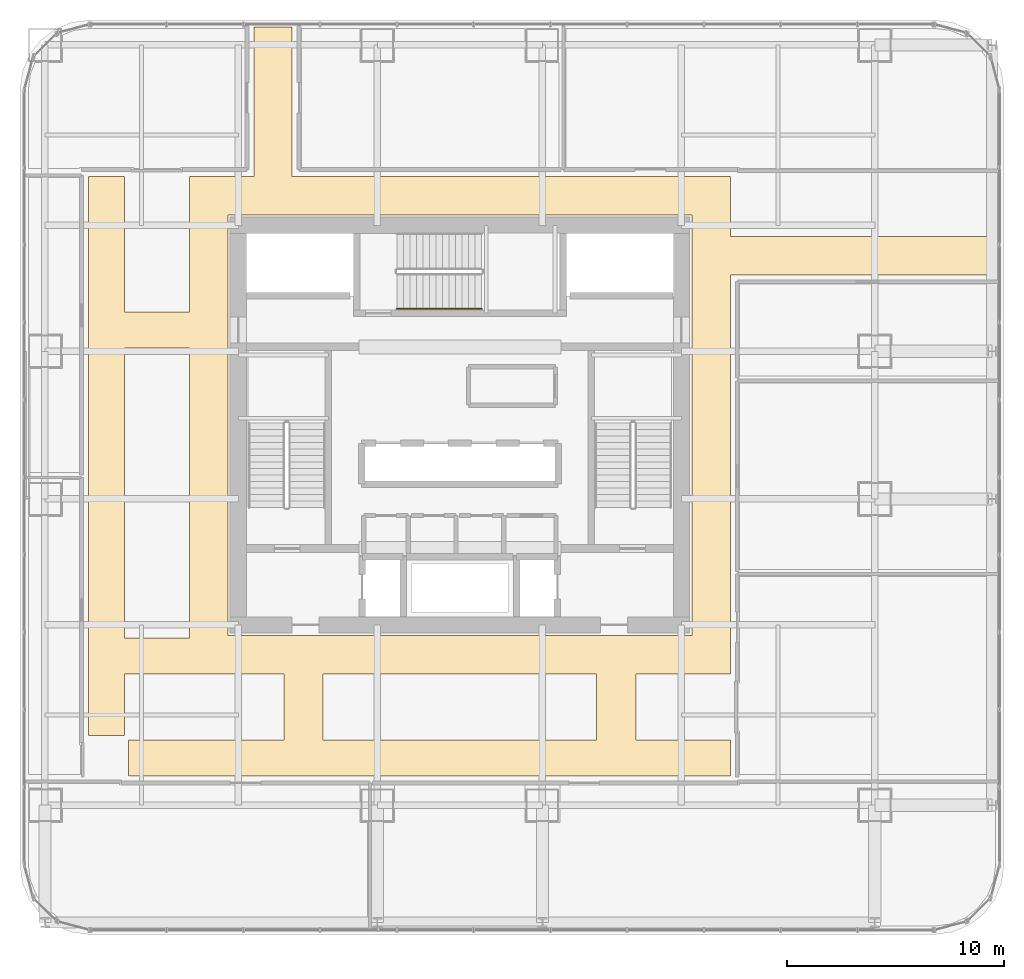
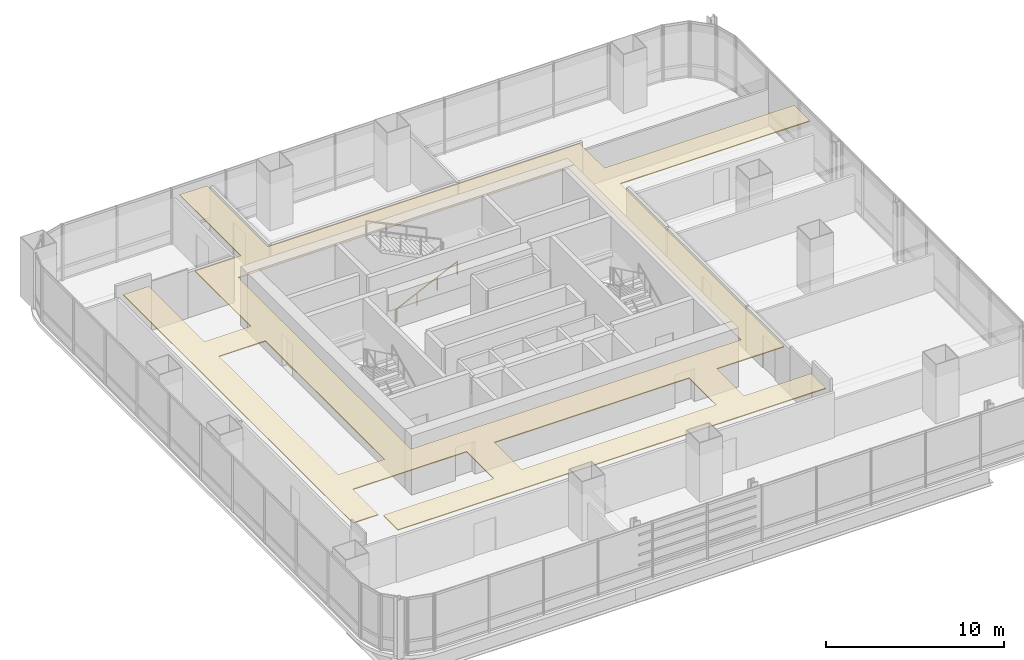
# One storey, part 33 of 35: 1 covering, 1 railing.
"""IFC4 building model written with IfcOpenShell, lengths in metres."""

from ifc_helpers import new_model, si_unit, direction, frame, origin, origin_2d, place, context, subcontext, project, spatial, polyline, circle, outline, extrude, material, layer, layer_set, type_object, element, save


model = new_model("IFC4")

# Units and contexts
model_context = context("Model", 3, precision=1e-05, world=origin(), true_north=direction((0.0, 1.0)))
body_context = subcontext(model_context, "Body", "Model", "MODEL_VIEW")
ifc_project = project(units=[si_unit("LENGTHUNIT", "METRE"), si_unit("AREAUNIT", "SQUARE_METRE"), si_unit("VOLUMEUNIT", "CUBIC_METRE"), si_unit("PLANEANGLEUNIT", "RADIAN"), si_unit("MASSUNIT", "GRAM", prefix="KILO")], contexts=[model_context])

# Site, building, storey
site_placement = place(None, origin())
site = spatial("IfcSite", under=ifc_project, at=site_placement, CompositionType="ELEMENT")
building_placement = place(site_placement, origin())
building = spatial("IfcBuilding", under=site, at=building_placement, Name="Punatoya Terracotta Tower", CompositionType="ELEMENT")
storey_placement = place(building_placement, frame((0.0, 0.0, 64.64990234375)))
storey = spatial("IfcBuildingStorey", under=building, at=storey_placement, Name="L14", CompositionType="ELEMENT", Elevation=64.64990234375)

# Covering
ifc_material_1 = material(Name="Acoustic Mineral Fibre Ceiling")
ifc_layer = layer(ifc_material_1, 0.06005859375)
ifc_layer_set = layer_set([ifc_layer], Name="Acoustic Mineral Fibre Ceiling")
covering_type = type_object("IfcCoveringType", Name="COV-CEIL-60", PredefinedType="CEILING", material=ifc_layer_set)
covering_placement = place(storey_placement, frame((0.0, 0.0, 3.2001953125)))
element("IfcCovering", 1, at=covering_placement, inside=storey, type_object=covering_type, Name="L14 Ring Circulation Corridor Acoustic Ceiling", PredefinedType="CEILING", context=body_context, shape_type="SweptSolid", body=[
    extrude(outline(polyline([(12.449951171875, -16.14990234375), (12.449951171875, -14.5), (8.10009765625, -14.5), (8.10009765625, -11.449951171875), (12.449951171875, -11.449951171875), (12.449951171875, 6.919921875), (24.72998046875, 6.919921875), (24.72998046875, 8.679931640625), (12.449951171875, 8.679931640625), (12.449951171875, 11.449951171875), (-7.719970703125, 11.449951171875), (-7.719970703125, 18.330078125), (-9.47998046875, 18.330078125), (-9.47998046875, 11.449951171875), (-12.449951171875, 11.449951171875), (-12.449951171875, 5.199951171875), (-15.449951171875, 5.199951171875), (-15.449951171875, 11.449951171875), (-17.10009765625, 11.449951171875), (-17.10009765625, -14.300048828125), (-15.449951171875, -14.300048828125), (-15.449951171875, -11.449951171875), (-8.10009765625, -11.449951171875), (-8.10009765625, -14.5), (-15.25, -14.5), (-15.25, -16.14990234375), (12.449951171875, -16.14990234375)]), holes=[polyline([(10.679931640625, 9.679931640625), (10.679931640625, -9.679931640625), (-10.679931640625, -9.679931640625), (-10.679931640625, 9.679931640625), (10.679931640625, 9.679931640625)]), polyline([(6.300048828125, -14.5), (-6.300048828125, -14.5), (-6.300048828125, -11.449951171875), (6.300048828125, -11.449951171875), (6.300048828125, -14.5)]), polyline([(-12.449951171875, 3.550048828125), (-12.449951171875, -9.800048828125), (-15.449951171875, -9.800048828125), (-15.449951171875, 3.550048828125), (-12.449951171875, 3.550048828125)])]), origin(), (0.0, 0.0, 1.0), 0.059814453125),
])

# Railing
ifc_material_2 = material(Name="Steel S355", Category="steel")
railing_type = type_object("IfcRailingType", Name="RLG-HND-900", PredefinedType="HANDRAIL", material=ifc_material_2)
railing_placement = place(storey_placement, frame((-2.89990234375, 5.35009765625, 0.144775390625)))
element("IfcRailing", 2, at=railing_placement, inside=storey, type_object=railing_type, Name="L14 ST-3 stair handrail 1", PredefinedType="HANDRAIL", context=body_context, shape_type="SweptSolid", body=[
    extrude(circle(Radius=0.02392578125, at=origin_2d()), frame((0.0, 0.0, 0.8759765625), z_axis=(0.900763166376, 0.0, 0.434310623978), x_axis=(0.0, 1.0, 0.0)), (0.0, 0.0, 1.0), 4.32958984375),
    extrude(circle(Radius=0.02099609375, at=origin_2d()), origin(), (0.0, 0.0, 1.0), 0.851806640625),
    extrude(circle(Radius=0.02099609375, at=origin_2d()), frame((1.300048828125, 0.0, 0.626708984375)), (0.0, 0.0, 1.0), 0.851806640625),
    extrude(circle(Radius=0.02099609375, at=origin_2d()), frame((2.599853515625, 0.0, 1.253662109375)), (0.0, 0.0, 1.0), 0.851806640625),
    extrude(circle(Radius=0.02099609375, at=origin_2d()), frame((3.89990234375, 0.0, 1.88037109375)), (0.0, 0.0, 1.0), 0.851806640625),
])

save(model, "model.ifc")
